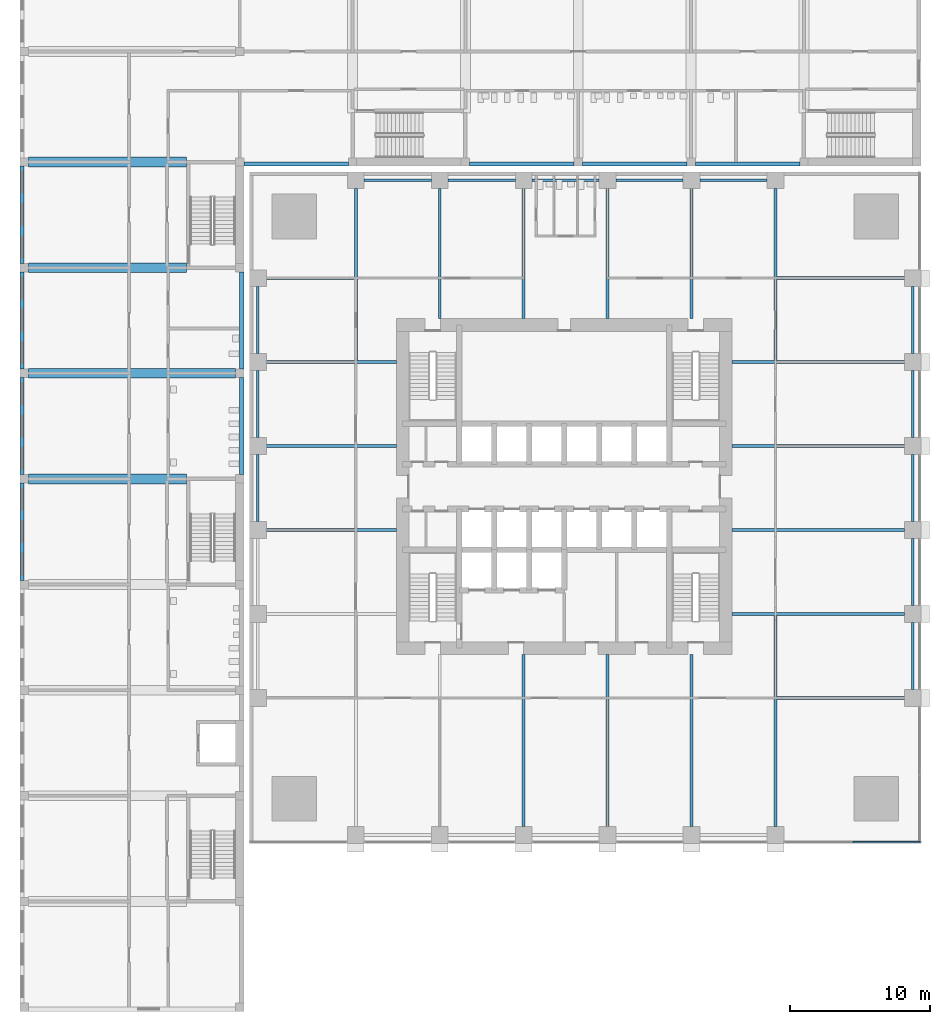
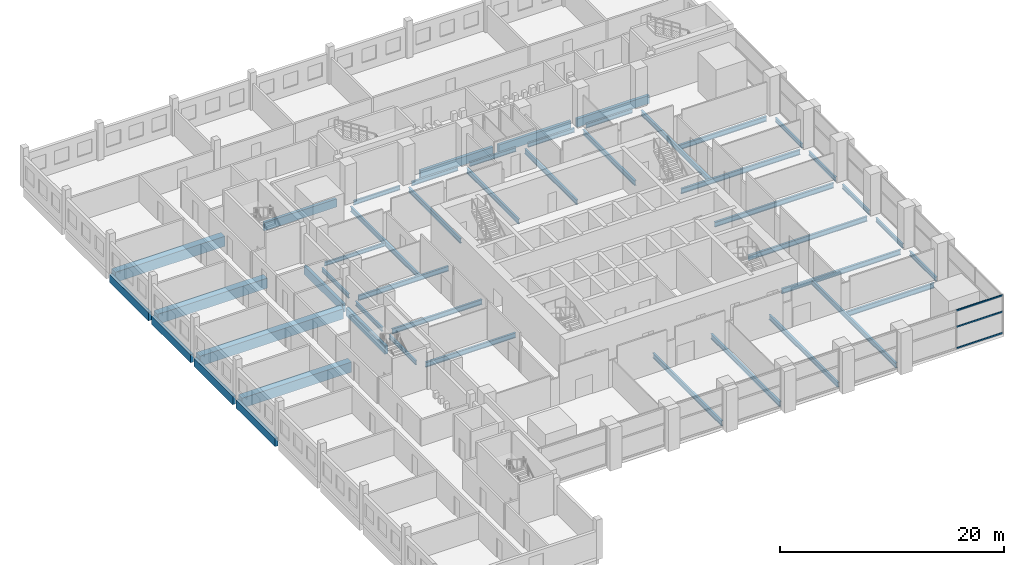
# One storey, part 5 of 24: 47 beams, 3 members, 1 element without a shape of its own.
"""IFC4 building model written with IfcOpenShell, lengths in metres."""

from ifc_helpers import new_model, si_unit, direction, frame, origin, origin_2d, place, context, subcontext, project, spatial, rectangle, i_section, extrude, material, material_profile, profile_set, type_object, element, aggregate, save


model = new_model("IFC4")

# Units and contexts
model_context = context("Model", 3, precision=1e-05, world=origin(), true_north=direction((0.0, 1.0)))
body_context = subcontext(model_context, "Body", "Model", "MODEL_VIEW")
ifc_project = project(units=[si_unit("LENGTHUNIT", "METRE"), si_unit("AREAUNIT", "SQUARE_METRE"), si_unit("VOLUMEUNIT", "CUBIC_METRE"), si_unit("PLANEANGLEUNIT", "RADIAN"), si_unit("MASSUNIT", "GRAM", prefix="KILO")], contexts=[model_context])

# Site, building, storey
site_placement = place(None, origin())
site = spatial("IfcSite", under=ifc_project, at=site_placement, CompositionType="ELEMENT")
building_placement = place(site_placement, origin())
building = spatial("IfcBuilding", under=site, at=building_placement, Name="Amberfall Residences", CompositionType="ELEMENT")
storey_placement = place(building_placement, frame((0.0, 0.0, 19.0)))
storey = spatial("IfcBuildingStorey", under=building, at=storey_placement, Name="L04", CompositionType="ELEMENT", Elevation=19.0)

# Curtain wall, members
ifc_material_1 = material(Name="Bronze anodised aluminium and glass", Category="aluminium")
curtain_wall_type = type_object("IfcCurtainWallType", Name="Curtain wall CW4 podium storefront", PredefinedType="USERDEFINED", material=ifc_material_1)
curtain_wall_placement = place(storey_placement, origin())
curtain_wall = element("IfcCurtainWall", 1, at=curtain_wall_placement, inside=storey, type_object=curtain_wall_type, Name="Storefront L04 S7", ObjectType="UNITISED CURTAIN WALL", PredefinedType="USERDEFINED")
ifc_material_2 = material(Name="Bronze anodised aluminium", Category="aluminium")
ifc_material_profile_1 = material_profile(ifc_material_2, rectangle(XDim=0.1201171875, YDim=0.14990234375, at=origin_2d()), Name="CW4 transom 120 x 150 bronze")
ifc_profile_set_1 = profile_set([ifc_material_profile_1], Name="Bronze anodised aluminium")
member_type = type_object("IfcMemberType", Name="CW4 transom 120 x 150 bronze", PredefinedType="USERDEFINED", material=ifc_profile_set_1)
member_1_placement = place(storey_placement, frame((95.135009765625, 20.10009765625, 0.074951171875), z_axis=(1.0, 0.0, 0.0), x_axis=(0.0, 1.0, 0.0)))
member_1 = element("IfcMember", 2, at=member_1_placement, type_object=member_type, Name="CW4 transom 2.1", ObjectType="TRANSOM", PredefinedType="USERDEFINED", context=body_context, shape_type="SweptSolid", body=[
    extrude(rectangle(XDim=0.1201171875, YDim=0.14990234375, at=origin_2d()), origin(), (0.0, 0.0, 1.0), 4.794921875),
])
member_2_placement = place(storey_placement, frame((95.135009765625, 20.10009765625, 2.39990234375), z_axis=(1.0, 0.0, 0.0), x_axis=(0.0, 1.0, 0.0)))
member_2 = element("IfcMember", 3, at=member_2_placement, type_object=member_type, Name="CW4 transom 2.2", ObjectType="TRANSOM", PredefinedType="USERDEFINED", context=body_context, shape_type="SweptSolid", body=[
    extrude(rectangle(XDim=0.1201171875, YDim=0.14990234375, at=origin_2d()), origin(), (0.0, 0.0, 1.0), 4.794921875),
])
member_3_placement = place(storey_placement, frame((95.135009765625, 20.10009765625, 4.175048828125), z_axis=(1.0, 0.0, 0.0), x_axis=(0.0, 1.0, 0.0)))
member_3 = element("IfcMember", 4, at=member_3_placement, type_object=member_type, Name="CW4 transom 2.3", ObjectType="TRANSOM", PredefinedType="USERDEFINED", context=body_context, shape_type="SweptSolid", body=[
    extrude(rectangle(XDim=0.1201171875, YDim=0.14990234375, at=origin_2d()), origin(), (0.0, 0.0, 1.0), 4.794921875),
])
aggregate(curtain_wall, [member_1, member_2, member_3])

# Beams
ifc_material_3 = material(Name="Steel S355", Category="steel")
ifc_material_profile_2 = material_profile(ifc_material_3, i_section(OverallWidth=0.18994140625, OverallDepth=0.453369140625, WebThickness=0.008544921875, FlangeThickness=0.0126953125, FilletRadius=0.01025390625, at=origin_2d()), Name="UB 457x191x67")
ifc_profile_set_2 = profile_set([ifc_material_profile_2], Name="Steel S355")
beam_type_1 = type_object("IfcBeamType", Name="Edge beam UB 457x191x67", PredefinedType="SPANDREL", material=ifc_profile_set_2)
for number, where, z_axis, x_axis, name in (
    (5, (99.39990234375, 31.0, -0.526611328125), (0.0, 1.0, 0.0), (-1.0, 0.0, 0.0), "Edge beam B1 L04 12"),
    (6, (99.39990234375, 37.0, -0.526611328125), (0.0, 1.0, 0.0), (-1.0, 0.0, 0.0), "Edge beam B1 L04 13"),
    (7, (99.39990234375, 43.0, -0.526611328125), (0.0, 1.0, 0.0), (-1.0, 0.0, 0.0), "Edge beam B1 L04 14"),
    (8, (99.39990234375, 49.0, -0.526611328125), (0.0, 1.0, 0.0), (-1.0, 0.0, 0.0), "Edge beam B1 L04 15"),
    (9, (99.39990234375, 55.0, -0.526611328125), (0.0, 1.0, 0.0), (-1.0, 0.0, 0.0), "Edge beam B1 L04 16"),
    (10, (60.199951171875, 67.39990234375, -0.526611328125), (1.0, 0.0, 0.0), (0.0, 1.0, 0.0), "Edge beam B1 L04 23"),
    (11, (66.199951171875, 67.39990234375, -0.526611328125), (1.0, 0.0, 0.0), (0.0, 1.0, 0.0), "Edge beam B1 L04 24"),
    (12, (72.199951171875, 67.39990234375, -0.526611328125), (1.0, 0.0, 0.0), (0.0, 1.0, 0.0), "Edge beam B1 L04 25"),
    (13, (78.199951171875, 67.39990234375, -0.526611328125), (1.0, 0.0, 0.0), (0.0, 1.0, 0.0), "Edge beam B1 L04 26"),
    (14, (84.199951171875, 67.39990234375, -0.526611328125), (1.0, 0.0, 0.0), (0.0, 1.0, 0.0), "Edge beam B1 L04 27"),
    (15, (52.60009765625, 43.0, -0.526611328125), (0.0, 1.0, 0.0), (-1.0, 0.0, 0.0), "Edge beam B1 L04 36"),
    (16, (52.60009765625, 49.0, -0.526611328125), (0.0, 1.0, 0.0), (-1.0, 0.0, 0.0), "Edge beam B1 L04 37"),
    (17, (52.60009765625, 55.0, -0.526611328125), (0.0, 1.0, 0.0), (-1.0, 0.0, 0.0), "Edge beam B1 L04 38"),
):
    element("IfcBeam", number, at=place(storey_placement, frame(where, z_axis=z_axis, x_axis=x_axis)), inside=storey, type_object=beam_type_1, Name=name, PredefinedType="SPANDREL", context=body_context, shape_type="SweptSolid", body=[
        extrude(i_section(OverallWidth=0.18994140625, OverallDepth=0.453369140625, WebThickness=0.008544921875, FlangeThickness=0.0126953125, FilletRadius=0.01025390625, at=origin_2d()), origin(), (0.0, 0.0, 1.0), 4.800048828125),
    ])
ifc_material_profile_3 = material_profile(ifc_material_3, i_section(OverallWidth=0.177734375, OverallDepth=0.402587890625, WebThickness=0.0078125, FlangeThickness=0.010986328125, FilletRadius=0.01025390625, at=origin_2d()), Name="UB 406x178x54")
ifc_profile_set_3 = profile_set([ifc_material_profile_3], Name="Steel S355")
beam_type_2 = type_object("IfcBeamType", Name="Floor girder UB 406x178x54", PredefinedType="BEAM", material=ifc_profile_set_3)
beam_1_placement = place(storey_placement, frame((53.199951171875, 60.39990234375, -0.501220703125), z_axis=(1.0, 0.0, 0.0), x_axis=(0.0, 1.0, 0.0)))
element("IfcBeam", 18, at=beam_1_placement, inside=storey, type_object=beam_type_2, Name="Floor girder B4 L04 44", PredefinedType="BEAM", context=body_context, shape_type="SweptSolid", body=[
    extrude(i_section(OverallWidth=0.177734375, OverallDepth=0.402587890625, WebThickness=0.0078125, FlangeThickness=0.010986328125, FilletRadius=0.01025390625, at=origin_2d()), origin(), (0.0, 0.0, 1.0), 6.280029296875),
])
ifc_material_profile_4 = material_profile(ifc_material_3, i_section(OverallWidth=0.210693359375, OverallDepth=0.53955078125, WebThickness=0.01171875, FlangeThickness=0.018798828125, FilletRadius=0.0126953125, at=origin_2d()), Name="UB 533x210x109")
ifc_profile_set_4 = profile_set([ifc_material_profile_4], Name="Steel S355")
beam_type_3 = type_object("IfcBeamType", Name="Floor girder UB 533x210x109", PredefinedType="BEAM", material=ifc_profile_set_4)
for number, where, z_axis, x_axis, name in (
    (19, (71.60009765625, 21.199951171875, -0.56982421875), (0.0, 1.0, 0.0), (-1.0, 0.0, 0.0), "Floor girder B2 L04 08"),
    (20, (77.60009765625, 21.199951171875, -0.56982421875), (0.0, 1.0, 0.0), (-1.0, 0.0, 0.0), "Floor girder B2 L04 09"),
    (21, (83.60009765625, 21.199951171875, -0.56982421875), (0.0, 1.0, 0.0), (-1.0, 0.0, 0.0), "Floor girder B2 L04 10"),
):
    element("IfcBeam", number, at=place(storey_placement, frame(where, z_axis=z_axis, x_axis=x_axis)), inside=storey, type_object=beam_type_3, Name=name, PredefinedType="BEAM", context=body_context, shape_type="SweptSolid", body=[
        extrude(i_section(OverallWidth=0.210693359375, OverallDepth=0.53955078125, WebThickness=0.01171875, FlangeThickness=0.018798828125, FilletRadius=0.0126953125, at=origin_2d()), origin(), (0.0, 0.0, 1.0), 12.300048828125),
    ])
beam_2_placement = place(storey_placement, frame((89.60009765625, 21.199951171875, -0.56982421875), z_axis=(0.0, 1.0, 0.0), x_axis=(-1.0, 0.0, 0.0)))
element("IfcBeam", 22, at=beam_2_placement, inside=storey, type_object=beam_type_3, Name="Floor girder B2 L04 11", PredefinedType="BEAM", context=body_context, shape_type="SweptSolid", body=[
    extrude(i_section(OverallWidth=0.210693359375, OverallDepth=0.53955078125, WebThickness=0.01171875, FlangeThickness=0.018798828125, FilletRadius=0.0126953125, at=origin_2d()), origin(), (0.0, 0.0, 1.0), 15.099609375),
])
for number, where, z_axis, x_axis, name in (
    (23, (98.800048828125, 36.39990234375, -0.56982421875), (-1.0, 0.0, 0.0), (0.0, -1.0, 0.0), "Floor girder B2 L04 18"),
    (24, (98.800048828125, 42.39990234375, -0.56982421875), (-1.0, 0.0, 0.0), (0.0, -1.0, 0.0), "Floor girder B2 L04 19"),
    (25, (98.800048828125, 48.39990234375, -0.56982421875), (-1.0, 0.0, 0.0), (0.0, -1.0, 0.0), "Floor girder B2 L04 20"),
    (26, (98.800048828125, 54.39990234375, -0.56982421875), (-1.0, 0.0, 0.0), (0.0, -1.0, 0.0), "Floor girder B2 L04 21"),
):
    element("IfcBeam", number, at=place(storey_placement, frame(where, z_axis=z_axis, x_axis=x_axis)), inside=storey, type_object=beam_type_3, Name=name, PredefinedType="BEAM", context=body_context, shape_type="SweptSolid", body=[
        extrude(i_section(OverallWidth=0.210693359375, OverallDepth=0.53955078125, WebThickness=0.01171875, FlangeThickness=0.018798828125, FilletRadius=0.0126953125, at=origin_2d()), origin(), (0.0, 0.0, 1.0), 12.300048828125),
    ])
beam_3_placement = place(storey_placement, frame((59.60009765625, 66.800048828125, -0.56982421875), z_axis=(0.0, -1.0, 0.0), x_axis=(1.0, 0.0, 0.0)))
element("IfcBeam", 27, at=beam_3_placement, inside=storey, type_object=beam_type_3, Name="Floor girder B2 L04 28", PredefinedType="BEAM", context=body_context, shape_type="SweptSolid", body=[
    extrude(i_section(OverallWidth=0.210693359375, OverallDepth=0.53955078125, WebThickness=0.01171875, FlangeThickness=0.018798828125, FilletRadius=0.0126953125, at=origin_2d()), origin(), (0.0, 0.0, 1.0), 12.300537109375),
])
beam_4_placement = place(storey_placement, frame((89.60009765625, 66.800048828125, -0.56982421875), z_axis=(0.0, -1.0, 0.0), x_axis=(1.0, 0.0, 0.0)))
element("IfcBeam", 28, at=beam_4_placement, inside=storey, type_object=beam_type_3, Name="Floor girder B2 L04 33", PredefinedType="BEAM", context=body_context, shape_type="SweptSolid", body=[
    extrude(i_section(OverallWidth=0.210693359375, OverallDepth=0.53955078125, WebThickness=0.01171875, FlangeThickness=0.018798828125, FilletRadius=0.0126953125, at=origin_2d()), origin(), (0.0, 0.0, 1.0), 12.299560546875),
])
ifc_material_profile_5 = material_profile(ifc_material_3, i_section(OverallWidth=0.209228515625, OverallDepth=0.533203125, WebThickness=0.010009765625, FlangeThickness=0.015625, FilletRadius=0.0126953125, at=origin_2d()), Name="UB 533x210x92")
ifc_profile_set_5 = profile_set([ifc_material_profile_5], Name="Steel S355")
beam_type_4 = type_object("IfcBeamType", Name="Floor girder UB 533x210x92", PredefinedType="BEAM", material=ifc_profile_set_5)
for number, where, z_axis, x_axis, name in (
    (29, (98.800048828125, 30.39990234375, -0.566650390625), (-1.0, 0.0, 0.0), (0.0, -1.0, 0.0), "Floor girder B3 L04 17"),
    (30, (98.800048828125, 60.39990234375, -0.566650390625), (-1.0, 0.0, 0.0), (0.0, -1.0, 0.0), "Floor girder B3 L04 22"),
):
    element("IfcBeam", number, at=place(storey_placement, frame(where, z_axis=z_axis, x_axis=x_axis)), inside=storey, type_object=beam_type_4, Name=name, PredefinedType="BEAM", context=body_context, shape_type="SweptSolid", body=[
        extrude(i_section(OverallWidth=0.209228515625, OverallDepth=0.533203125, WebThickness=0.010009765625, FlangeThickness=0.015625, FilletRadius=0.0126953125, at=origin_2d()), origin(), (0.0, 0.0, 1.0), 9.080078125),
    ])
for number, where, z_axis, x_axis, name in (
    (31, (65.60009765625, 66.800048828125, -0.566650390625), (0.0, -1.0, 0.0), (1.0, 0.0, 0.0), "Floor girder B3 L04 29"),
    (32, (71.60009765625, 66.800048828125, -0.566650390625), (0.0, -1.0, 0.0), (1.0, 0.0, 0.0), "Floor girder B3 L04 30"),
    (33, (77.60009765625, 66.800048828125, -0.566650390625), (0.0, -1.0, 0.0), (1.0, 0.0, 0.0), "Floor girder B3 L04 31"),
    (34, (83.60009765625, 66.800048828125, -0.566650390625), (0.0, -1.0, 0.0), (1.0, 0.0, 0.0), "Floor girder B3 L04 32"),
    (35, (53.199951171875, 42.39990234375, -0.566650390625), (1.0, 0.0, 0.0), (0.0, 1.0, 0.0), "Floor girder B3 L04 41"),
    (36, (53.199951171875, 48.39990234375, -0.566650390625), (1.0, 0.0, 0.0), (0.0, 1.0, 0.0), "Floor girder B3 L04 42"),
    (37, (53.199951171875, 54.39990234375, -0.566650390625), (1.0, 0.0, 0.0), (0.0, 1.0, 0.0), "Floor girder B3 L04 43"),
):
    element("IfcBeam", number, at=place(storey_placement, frame(where, z_axis=z_axis, x_axis=x_axis)), inside=storey, type_object=beam_type_4, Name=name, PredefinedType="BEAM", context=body_context, shape_type="SweptSolid", body=[
        extrude(i_section(OverallWidth=0.209228515625, OverallDepth=0.533203125, WebThickness=0.010009765625, FlangeThickness=0.015625, FilletRadius=0.0126953125, at=origin_2d()), origin(), (0.0, 0.0, 1.0), 9.300048828125),
    ])
ifc_material_4 = material(Name="Concrete C40", Category="concrete")
ifc_material_profile_6 = material_profile(ifc_material_4, rectangle(XDim=0.699951171875, YDim=1.10009765625, at=origin_2d()), Name="School beam 700 x 1100 C40")
ifc_profile_set_6 = profile_set([ifc_material_profile_6], Name="Concrete C40")
beam_type_5 = type_object("IfcBeamType", Name="School beam 700 x 1100 C40", PredefinedType="BEAM", material=ifc_profile_set_6)
beam_5_placement = place(storey_placement, frame((36.199951171875, 46.050048828125, -0.85009765625), z_axis=(1.0, 0.0, 0.0), x_axis=(0.0, 1.0, 0.0)))
element("IfcBeam", 38, at=beam_5_placement, inside=storey, type_object=beam_type_5, Name="TW5", PredefinedType="BEAM", context=body_context, shape_type="SweptSolid", body=[
    extrude(rectangle(XDim=0.699951171875, YDim=1.10009765625, at=origin_2d()), origin(), (0.0, 0.0, 1.0), 11.300048828125),
])
beam_6_placement = place(storey_placement, frame((36.199951171875, 53.60009765625, -0.85009765625), z_axis=(1.0, 0.0, 0.0), x_axis=(0.0, 1.0, 0.0)))
element("IfcBeam", 39, at=beam_6_placement, inside=storey, type_object=beam_type_5, Name="TW6", PredefinedType="BEAM", context=body_context, shape_type="SweptSolid", body=[
    extrude(rectangle(XDim=0.699951171875, YDim=1.10009765625, at=origin_2d()), origin(), (0.0, 0.0, 1.0), 14.800048828125),
])
for number, where, z_axis, x_axis, name in (
    (40, (36.199951171875, 61.14990234375, -0.85009765625), (1.0, 0.0, 0.0), (0.0, 1.0, 0.0), "TW7"),
    (41, (36.199951171875, 68.699951171875, -0.85009765625), (1.0, 0.0, 0.0), (0.0, 1.0, 0.0), "TW8"),
):
    element("IfcBeam", number, at=place(storey_placement, frame(where, z_axis=z_axis, x_axis=x_axis)), inside=storey, type_object=beam_type_5, Name=name, PredefinedType="BEAM", context=body_context, shape_type="SweptSolid", body=[
        extrude(rectangle(XDim=0.699951171875, YDim=1.10009765625, at=origin_2d()), origin(), (0.0, 0.0, 1.0), 11.300048828125),
    ])
ifc_material_profile_7 = material_profile(ifc_material_4, rectangle(XDim=0.300048828125, YDim=0.89990234375, at=origin_2d()), Name="School edge beam 300 x 900 C40")
ifc_profile_set_7 = profile_set([ifc_material_profile_7], Name="Concrete C40")
beam_type_6 = type_object("IfcBeamType", Name="School edge beam 300 x 900 C40", PredefinedType="BEAM", material=ifc_profile_set_7)
for number, where, z_axis, x_axis, name in (
    (42, (35.75, 38.800048828125, -0.75), (0.0, 1.0, 0.0), (-1.0, 0.0, 0.0), "GW4"),
    (43, (35.75, 46.35009765625, -0.75), (0.0, 1.0, 0.0), (-1.0, 0.0, 0.0), "GW5"),
):
    element("IfcBeam", number, at=place(storey_placement, frame(where, z_axis=z_axis, x_axis=x_axis)), inside=storey, type_object=beam_type_6, Name=name, PredefinedType="BEAM", context=body_context, shape_type="SweptSolid", body=[
        extrude(rectangle(XDim=0.300048828125, YDim=0.89990234375, at=origin_2d()), origin(), (0.0, 0.0, 1.0), 6.949951171875),
    ])
beam_7_placement = place(storey_placement, frame((35.75, 53.89990234375, -0.75), z_axis=(0.0, 1.0, 0.0), x_axis=(-1.0, 0.0, 0.0)))
element("IfcBeam", 44, at=beam_7_placement, inside=storey, type_object=beam_type_6, Name="GW6", PredefinedType="BEAM", context=body_context, shape_type="SweptSolid", body=[
    extrude(rectangle(XDim=0.300048828125, YDim=0.89990234375, at=origin_2d()), origin(), (0.0, 0.0, 1.0), 6.9501953125),
])
for number, where, z_axis, x_axis, name in (
    (45, (35.75, 61.449951171875, -0.75), (0.0, 1.0, 0.0), (-1.0, 0.0, 0.0), "GW7"),
    (46, (51.449951171875, 46.35009765625, -0.75), (0.0, 1.0, 0.0), (-1.0, 0.0, 0.0), "GE5"),
):
    element("IfcBeam", number, at=place(storey_placement, frame(where, z_axis=z_axis, x_axis=x_axis)), inside=storey, type_object=beam_type_6, Name=name, PredefinedType="BEAM", context=body_context, shape_type="SweptSolid", body=[
        extrude(rectangle(XDim=0.300048828125, YDim=0.89990234375, at=origin_2d()), origin(), (0.0, 0.0, 1.0), 6.949951171875),
    ])
beam_8_placement = place(storey_placement, frame((51.449951171875, 53.89990234375, -0.75), z_axis=(0.0, 1.0, 0.0), x_axis=(-1.0, 0.0, 0.0)))
element("IfcBeam", 47, at=beam_8_placement, inside=storey, type_object=beam_type_6, Name="GE6", PredefinedType="BEAM", context=body_context, shape_type="SweptSolid", body=[
    extrude(rectangle(XDim=0.300048828125, YDim=0.89990234375, at=origin_2d()), origin(), (0.0, 0.0, 1.0), 6.9501953125),
])
beam_9_placement = place(storey_placement, frame((51.60009765625, 68.550048828125, -0.75), z_axis=(1.0, 0.0, 0.0), x_axis=(0.0, 1.0, 0.0)))
element("IfcBeam", 48, at=beam_9_placement, inside=storey, type_object=beam_type_6, Name="GS0", PredefinedType="BEAM", context=body_context, shape_type="SweptSolid", body=[
    extrude(rectangle(XDim=0.300048828125, YDim=0.89990234375, at=origin_2d()), origin(), (0.0, 0.0, 1.0), 7.466796875),
])
for number, where, z_axis, x_axis, name in (
    (49, (67.73291015625, 68.550048828125, -0.75), (1.0, 0.0, 0.0), (0.0, 1.0, 0.0), "GS2"),
    (50, (75.800048828125, 68.550048828125, -0.75), (1.0, 0.0, 0.0), (0.0, 1.0, 0.0), "GS3"),
):
    element("IfcBeam", number, at=place(storey_placement, frame(where, z_axis=z_axis, x_axis=x_axis)), inside=storey, type_object=beam_type_6, Name=name, PredefinedType="BEAM", context=body_context, shape_type="SweptSolid", body=[
        extrude(rectangle(XDim=0.300048828125, YDim=0.89990234375, at=origin_2d()), origin(), (0.0, 0.0, 1.0), 7.467041015625),
    ])
beam_10_placement = place(storey_placement, frame((83.866943359375, 68.550048828125, -0.75), z_axis=(1.0, 0.0, 0.0), x_axis=(0.0, 1.0, 0.0)))
element("IfcBeam", 51, at=beam_10_placement, inside=storey, type_object=beam_type_6, Name="GS4", PredefinedType="BEAM", context=body_context, shape_type="SweptSolid", body=[
    extrude(rectangle(XDim=0.300048828125, YDim=0.89990234375, at=origin_2d()), origin(), (0.0, 0.0, 1.0), 7.466064453125),
])

save(model, "model.ifc")
